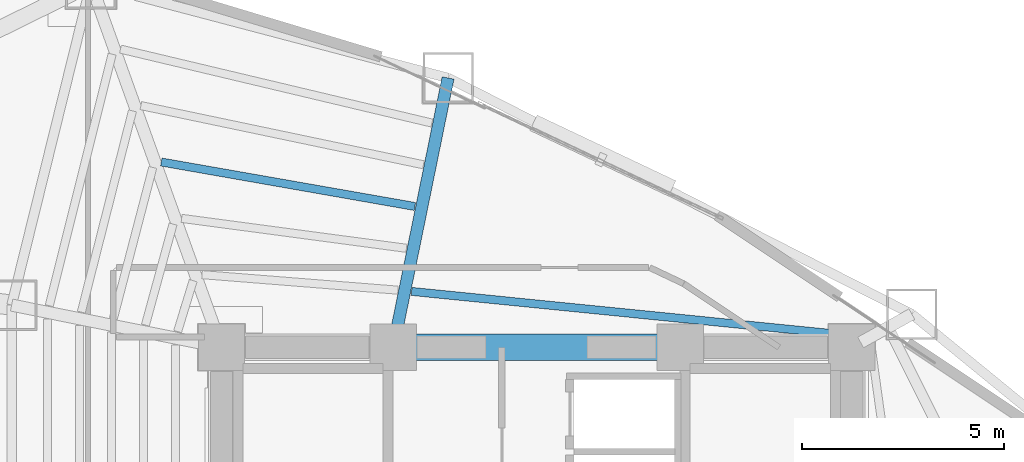
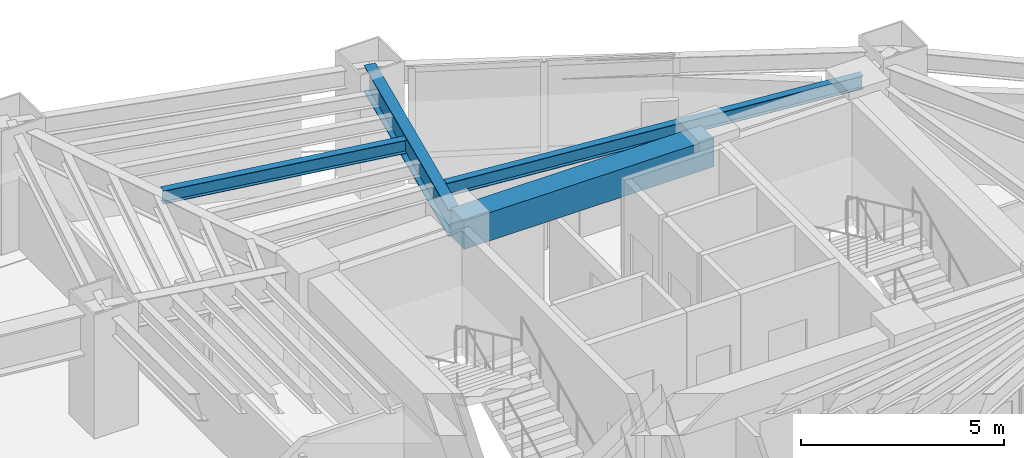
# One storey, part 13 of 23: 4 beams.
"""IFC4 building model written with IfcOpenShell, lengths in metres."""

from ifc_helpers import new_model, si_unit, direction, frame, origin, origin_2d, place, context, subcontext, project, spatial, rectangle, i_section, extrude, material, material_profile, profile_set, type_object, element, save


model = new_model("IFC4")

# Units and contexts
model_context = context("Model", 3, precision=1e-05, world=origin(), true_north=direction((0.0, 1.0)))
body_context = subcontext(model_context, "Body", "Model", "MODEL_VIEW")
ifc_project = project(units=[si_unit("LENGTHUNIT", "METRE"), si_unit("AREAUNIT", "SQUARE_METRE"), si_unit("VOLUMEUNIT", "CUBIC_METRE"), si_unit("PLANEANGLEUNIT", "RADIAN"), si_unit("MASSUNIT", "GRAM", prefix="KILO")], contexts=[model_context])

# Site, building, storey
site_placement = place(None, origin())
site = spatial("IfcSite", under=ifc_project, at=site_placement, CompositionType="ELEMENT")
building_placement = place(site_placement, origin())
building = spatial("IfcBuilding", under=site, at=building_placement, Name="Menara Vayukalpa", CompositionType="ELEMENT")
storey_placement = place(building_placement, frame((0.0, 0.0, 107.699951171875)))
storey = spatial("IfcBuildingStorey", under=building, at=storey_placement, Name="L26", CompositionType="ELEMENT", Elevation=107.699951171875)

# Beams
ifc_material_1 = material(Name="Concrete C60/75", Category="concrete")
ifc_material_profile_1 = material_profile(ifc_material_1, rectangle(XDim=0.64990234375, YDim=0.85009765625, at=origin_2d()), Name="RC 650x850")
ifc_profile_set_1 = profile_set([ifc_material_profile_1], Name="Concrete C60/75")
beam_type_1 = type_object("IfcBeamType", Name="BM-CB1", PredefinedType="BEAM", material=ifc_profile_set_1)
beam_1_placement = place(storey_placement, frame((22.050048828125, 26.800048828125, 3.045166015625), z_axis=(1.0, 0.0, 0.0), x_axis=(0.0, 1.0, 0.0)))
element("IfcBeam", 1, at=beam_1_placement, inside=storey, type_object=beam_type_1, Name="L26 Core Tie Beam CBR5", PredefinedType="BEAM", context=body_context, shape_type="SweptSolid", body=[
    extrude(rectangle(XDim=0.64990234375, YDim=0.85009765625, at=origin_2d()), origin(), (0.0, 0.0, 1.0), 7.099853515625),
])
ifc_material_2 = material(Name="Steel S355", Category="steel")
ifc_material_profile_2 = material_profile(ifc_material_2, i_section(OverallWidth=0.300048828125, OverallDepth=0.800048828125, WebThickness=0.013916015625, FlangeThickness=0.02587890625, at=origin_2d()), Name="WF 800x300x14x26")
ifc_profile_set_2 = profile_set([ifc_material_profile_2], Name="Steel S355")
beam_type_2 = type_object("IfcBeamType", Name="BM-PG3", PredefinedType="BEAM", material=ifc_profile_set_2)
beam_2_placement = place(storey_placement, frame((22.099853515625, 27.044921875, 3.070068359375), z_axis=(0.199617728418, 0.9798738503, 0.0), x_axis=(-0.9798738503, 0.199617728418, 0.0)))
element("IfcBeam", 2, at=beam_2_placement, inside=storey, type_object=beam_type_2, Name="L26 Primary Radial Girder RG03", PredefinedType="BEAM", context=body_context, shape_type="SweptSolid", body=[
    extrude(i_section(OverallWidth=0.300048828125, OverallDepth=0.800048828125, WebThickness=0.013916015625, FlangeThickness=0.02587890625, at=origin_2d()), origin(), (0.0, 0.0, 1.0), 6.55419921875),
])
ifc_material_3 = material(Name="Steel S355", Category="steel")
ifc_material_profile_3 = material_profile(ifc_material_3, i_section(OverallWidth=0.199951171875, OverallDepth=0.39990234375, WebThickness=0.008056640625, FlangeThickness=0.012939453125, at=origin_2d()), Name="WF 400x200x8x13")
ifc_profile_set_3 = profile_set([ifc_material_profile_3], Name="Steel S355")
beam_type_3 = type_object("IfcBeamType", Name="BM-SJ2", PredefinedType="JOIST", material=ifc_profile_set_3)
beam_3_placement = place(storey_placement, frame((33.677978515625, 27.06396484375, 3.27001953125), z_axis=(-0.995012836574, 0.099746955103, 0.0), x_axis=(-0.099746955103, -0.995012836574, 0.0)))
element("IfcBeam", 3, at=beam_3_placement, inside=storey, type_object=beam_type_3, Name="L26 Secondary Floor Joist SJ02-1", PredefinedType="JOIST", context=body_context, shape_type="SweptSolid", body=[
    extrude(i_section(OverallWidth=0.199951171875, OverallDepth=0.39990234375, WebThickness=0.008056640625, FlangeThickness=0.012939453125, at=origin_2d()), origin(), (0.0, 0.0, 1.0), 11.2294921875),
])
beam_4_placement = place(storey_placement, frame((22.586669921875, 30.28564453125, 3.27001953125), z_axis=(-0.984953935883, 0.172817083033, 0.0), x_axis=(-0.172817083033, -0.984953935883, 0.0)))
element("IfcBeam", 4, at=beam_4_placement, inside=storey, type_object=beam_type_3, Name="L26 Secondary Floor Joist SJ03-3", PredefinedType="JOIST", context=body_context, shape_type="SweptSolid", body=[
    extrude(i_section(OverallWidth=0.199951171875, OverallDepth=0.39990234375, WebThickness=0.008056640625, FlangeThickness=0.012939453125, at=origin_2d()), origin(), (0.0, 0.0, 1.0), 6.372802734375),
])

save(model, "model.ifc")
